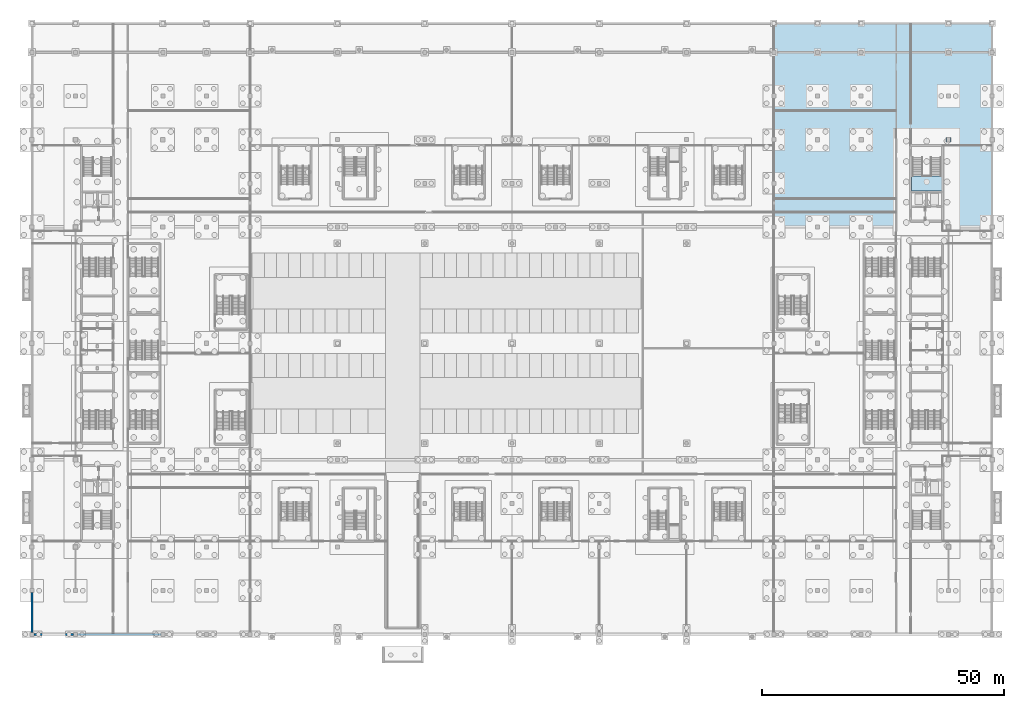
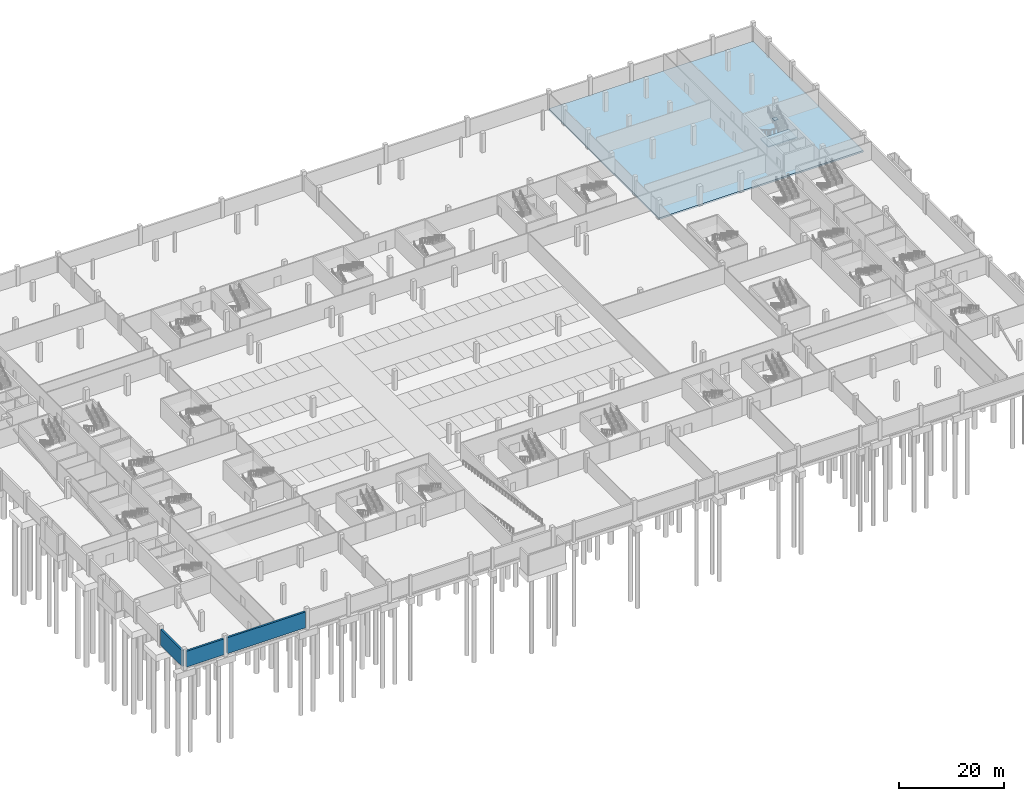
# One storey, part 13 of 46: 3 walls, 2 slabs, 1 plate, 1 element without a shape of its own.
"""IFC4 building model written with IfcOpenShell, lengths in metres."""

from ifc_helpers import new_model, si_unit, direction, frame, frame_2d, origin, origin_2d, place, context, subcontext, project, spatial, polyline, rectangle, outline, extrude, material, layer, layer_set, type_object, element, aggregate, save


model = new_model("IFC4")

# Units and contexts
model_context = context("Model", 3, precision=1e-05, world=origin(), true_north=direction((0.0, 1.0)))
body_context = subcontext(model_context, "Body", "Model", "MODEL_VIEW")
ifc_project = project(units=[si_unit("LENGTHUNIT", "METRE"), si_unit("AREAUNIT", "SQUARE_METRE"), si_unit("VOLUMEUNIT", "CUBIC_METRE"), si_unit("PLANEANGLEUNIT", "RADIAN"), si_unit("MASSUNIT", "GRAM", prefix="KILO")], contexts=[model_context])

# Site, building, storey
site_placement = place(None, origin())
site = spatial("IfcSite", under=ifc_project, at=site_placement, CompositionType="ELEMENT")
building_placement = place(site_placement, origin())
building = spatial("IfcBuilding", under=site, at=building_placement, Name="Kisiwana Market Hall", CompositionType="ELEMENT")
storey_placement = place(building_placement, frame((0.0, 0.0, -4.5)))
storey = spatial("IfcBuildingStorey", under=building, at=storey_placement, Name="B1", CompositionType="ELEMENT", Elevation=-4.5)

# Plate
ifc_material_1 = material(Name="Steel S355", Category="steel")
ifc_layer_1 = layer(ifc_material_1, 0.050048828125)
ifc_layer_set_1 = layer_set([ifc_layer_1], Name="PL-STR-BASE-50")
plate_type = type_object("IfcPlateType", Name="PL-STR-BASE-50", PredefinedType="SHEET", material=ifc_layer_set_1)
plate_placement = place(storey_placement, frame((189.0, 102.0, -0.4501953125), z_axis=(0.0, 0.0, 1.0), x_axis=(1.0, 0.0, 0.0)))
element("IfcPlate", 1, at=plate_placement, inside=storey, type_object=plate_type, Name="Structural column baseplate BP-12", PredefinedType="SHEET", context=body_context, shape_type="SweptSolid", body=[
    extrude(rectangle(XDim=0.949951171875, YDim=0.949951171875, at=origin_2d()), origin(), (0.0, 0.0, 1.0), 0.050048828125),
])

# Slab
ifc_material_2 = material(Name="Concrete C32/40", Category="concrete")
ifc_layer_2 = layer(ifc_material_2, 0.3798828125)
ifc_layer_set_2 = layer_set([ifc_layer_2], Name="SL-BASE-380")
slab_type_1 = type_object("IfcSlabType", Name="SL-BASE-380", PredefinedType="BASESLAB", material=ifc_layer_set_2)
slab_1_placement = place(storey_placement, frame((0.0, 0.0, -0.3798828125)))
element("IfcSlab", 2, at=slab_1_placement, inside=storey, type_object=slab_type_1, Name="Structural slab S-006", PredefinedType="BASESLAB", context=body_context, shape_type="SweptSolid", body=[
    extrude(outline(polyline([(153.0, 84.0), (198.0, 84.0), (198.0, 126.0), (153.0, 126.0), (153.0, 84.0)])), origin(), (0.0, 0.0, 1.0), 0.3798828125),
])

# Stair, slab
ifc_material_3 = material(Name="Concrete C32/40", Category="concrete")
stair_type = type_object("IfcStairType", Name="ST-POD-4500", PredefinedType="TWO_STRAIGHT_RUN_STAIR", material=ifc_material_3)
stair_placement = place(storey_placement, origin())
stair = element("IfcStair", 3, at=stair_placement, inside=storey, type_object=stair_type, Name="Escape stair ST-E1-B1", PredefinedType="TWO_STRAIGHT_RUN_STAIR")
ifc_material_4 = material(Name="Concrete C32/40", Category="concrete")
ifc_layer_3 = layer(ifc_material_4, 0.239990234375)
ifc_layer_set_3 = layer_set([ifc_layer_3], Name="SL-LANDING-160")
slab_type_2 = type_object("IfcSlabType", Name="SL-LANDING-160", PredefinedType="LANDING", material=ifc_layer_set_3)
slab_2_placement = place(storey_placement, frame((0.0, 0.0, 2.010009765625)))
slab_2 = element("IfcSlab", 4, at=slab_2_placement, type_object=slab_type_2, Name="ST-E1-B1 landing 1 S-007", PredefinedType="LANDING", context=body_context, shape_type="SweptSolid", body=[
    extrude(outline(polyline([(181.3798828125, 91.3798828125), (187.6201171875, 91.3798828125), (187.6201171875, 94.51611328125), (181.3798828125, 94.51611328125), (181.3798828125, 91.3798828125)])), origin(), (0.0, 0.0, 1.0), 0.239990234375),
])
aggregate(stair, [slab_2])

# Walls
ifc_material_5 = material(Name="Concrete C40/50", Category="concrete")
ifc_layer_4 = layer(ifc_material_5, 0.360107421875, Name="Waterproofed RC retaining wall")
ifc_material_6 = material(Name="Mineral wool insulation")
ifc_layer_5 = layer(ifc_material_6, 0.06005859375, Name="XPS drainage protection board")
ifc_layer_set_4 = layer_set([ifc_layer_4, ifc_layer_5], Name="WL-B1-RET-420")
wall_type = type_object("IfcWallType", Name="WL-B1-RET-420", PredefinedType="STANDARD", material=ifc_layer_set_4)
wall_1_placement = place(storey_placement, frame((0.39208984375, 0.0, 0.0), z_axis=(0.0, 0.0, 1.0), x_axis=(1.0, 0.0, 0.0)))
element("IfcWall", 5, at=wall_1_placement, inside=storey, type_object=wall_type, Name="Exterior wall W-0155", PredefinedType="STANDARD", context=body_context, shape_type="SweptSolid", body=[
    extrude(rectangle(XDim=8.2158203125, YDim=0.419921875, at=frame_2d((4.10791015625, 0.0))), origin(), (0.0, 0.0, 1.0), 3.699951171875),
])
wall_2_placement = place(storey_placement, frame((9.39208984375, 0.0, 0.0), z_axis=(0.0, 0.0, 1.0), x_axis=(1.0, 0.0, 0.0)))
element("IfcWall", 6, at=wall_2_placement, inside=storey, type_object=wall_type, Name="Exterior wall W-0156", PredefinedType="STANDARD", context=body_context, shape_type="SweptSolid", body=[
    extrude(rectangle(XDim=17.2158203125, YDim=0.419921875, at=frame_2d((8.60791015625, 0.0))), origin(), (0.0, 0.0, 1.0), 3.699951171875),
])
wall_3_placement = place(storey_placement, frame((0.0, 0.39208984375, 0.0), z_axis=(0.0, 0.0, 1.0), x_axis=(0.0, 1.0, 0.0)))
element("IfcWall", 7, at=wall_3_placement, inside=storey, type_object=wall_type, Name="Exterior wall W-0183", PredefinedType="STANDARD", context=body_context, shape_type="SweptSolid", body=[
    extrude(rectangle(XDim=8.2158203125, YDim=0.419921875, at=frame_2d((4.10791015625, 0.0))), origin(), (0.0, 0.0, 1.0), 3.699951171875),
])

save(model, "model.ifc")
